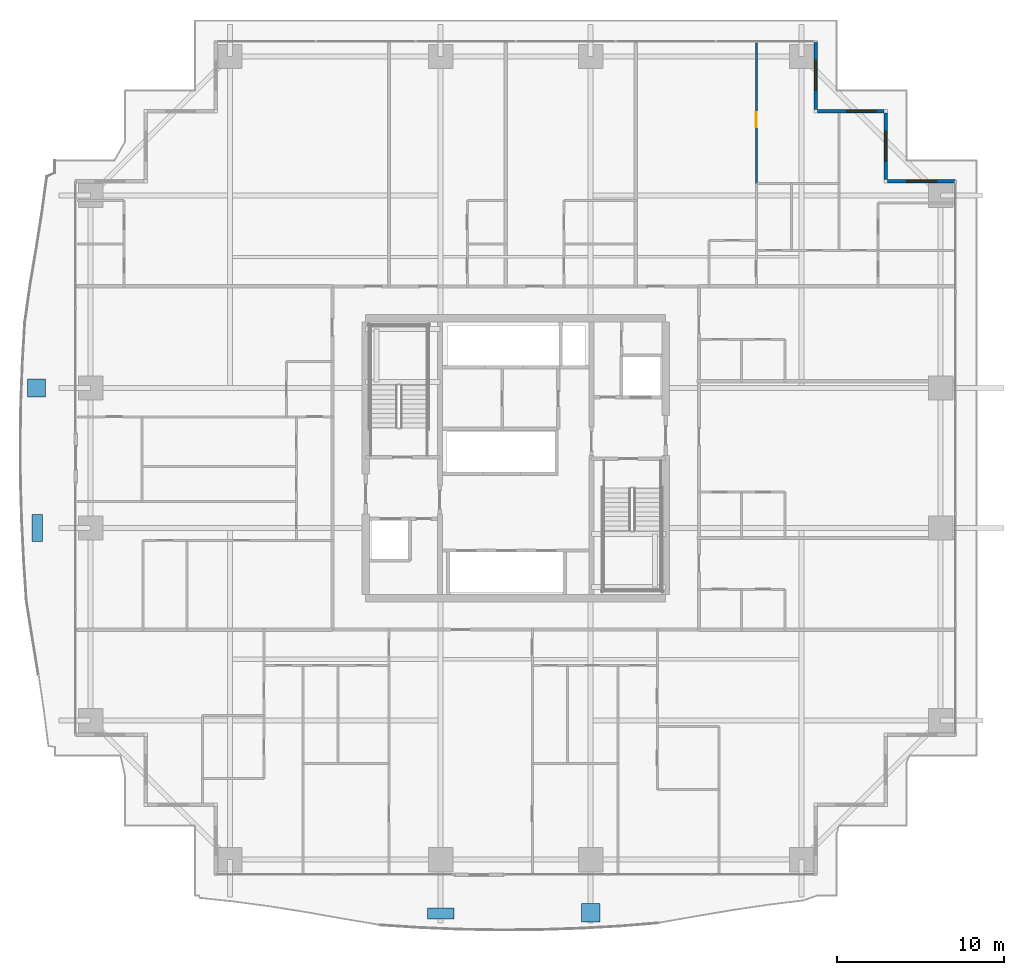
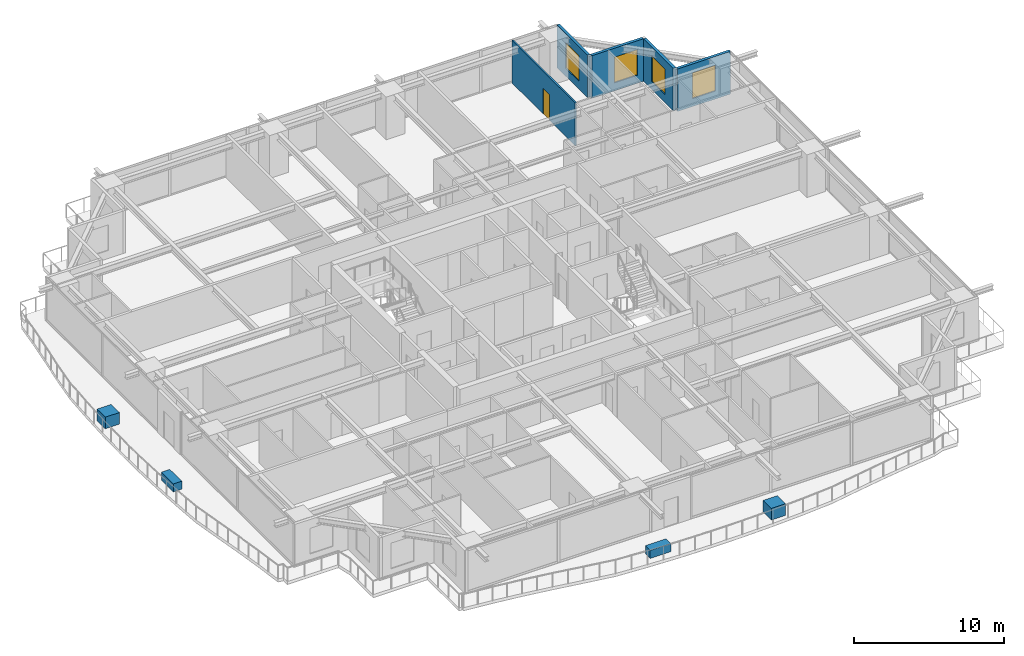
# One storey, part 32 of 40: 5 walls, 4 discrete accessories, 4 windows, 1 door, 5 openings.
"""IFC4 building model written with IfcOpenShell, lengths in metres."""

from ifc_helpers import new_model, si_unit, direction, frame, frame_2d, origin, origin_2d, place, context, subcontext, project, spatial, rectangle, extrude, source, transform, mapped, material, layer, layer_set, type_object, element, fill, save


model = new_model("IFC4")

# Units and contexts
model_context = context("Model", 3, precision=1e-05, world=origin(), true_north=direction((0.0, 1.0)))
body_context = subcontext(model_context, "Body", "Model", "MODEL_VIEW")
ifc_project = project(units=[si_unit("LENGTHUNIT", "METRE"), si_unit("AREAUNIT", "SQUARE_METRE"), si_unit("VOLUMEUNIT", "CUBIC_METRE"), si_unit("PLANEANGLEUNIT", "RADIAN"), si_unit("MASSUNIT", "GRAM", prefix="KILO")], contexts=[model_context])

# Site, building, storey
site_placement = place(None, origin())
site = spatial("IfcSite", under=ifc_project, at=site_placement, CompositionType="ELEMENT")
building_placement = place(site_placement, origin())
building = spatial("IfcBuilding", under=site, at=building_placement, Name="Serunith Strait Residences", CompositionType="ELEMENT")
storey_placement = place(building_placement, frame((0.0, 0.0, 90.449951171875)))
storey = spatial("IfcBuildingStorey", under=building, at=storey_placement, Name="L22", CompositionType="ELEMENT", Elevation=90.449951171875)

# Wall, opening, window
ifc_material_1 = material(Name="Pale-Champagne Aluminium Insulated Panel", Category="aluminium")
ifc_layer_1 = layer(ifc_material_1, 0.219970703125, Name="Pale-Champagne Aluminium Insulated Panel")
ifc_layer_set_1 = layer_set([ifc_layer_1], Name="Pale-Champagne Aluminium Insulated Panel")
wall_type_1 = type_object("IfcWallType", Name="EW-ALUM-220", PredefinedType="ELEMENTEDWALL", material=ifc_layer_set_1)
wall_1_placement = place(storey_placement, frame((58.800048828125, 41.800048828125, 0.0), z_axis=(0.0, 0.0, 1.0), x_axis=(-1.0, 0.0, 0.0)))
wall_1 = element("IfcWall", 1, at=wall_1_placement, inside=storey, type_object=wall_type_1, Name="L22 Girih Serrated Corner Wall 07", PredefinedType="ELEMENTEDWALL", context=body_context, shape_type="SweptSolid", body=[
    extrude(rectangle(XDim=4.090087890625, YDim=0.219970703125, at=frame_2d((2.044921875, 0.0))), origin(), (0.0, 0.0, 1.0), 3.47509765625),
])
opening_1_placement = place(wall_1_placement, frame((1.14501953125, 0.0, 0.64990234375)))
opening_1 = element("IfcOpeningElement", 2, at=opening_1_placement, cuts=wall_1, Name="Opening W-01", PredefinedType="OPENING", context=body_context, shape_type="SweptSolid", body=[
    extrude(rectangle(XDim=1.800048828125, YDim=2.10009765625, at=frame_2d((0.89990234375, 1.050048828125))), frame((0.0, 0.1201171875, 0.0), z_axis=(0.0, -1.0, 0.0), x_axis=(1.0, 0.0, 0.0)), (0.0, 0.0, 1.0), 0.239990234375),
])
ifc_material_2 = material(Name="Ceramic-Fritted Operable Aluminium Window Glass", Category="aluminium")
window_type = type_object("IfcWindowType", Name="WIN-C1", PartitioningType="DOUBLE_PANEL_VERTICAL", PredefinedType="WINDOW", material=ifc_material_2)
shared_shape_1 = source(origin(), body_context, "Body", "SweptSolid", [
    extrude(rectangle(XDim=1.800048828125, YDim=2.10009765625, at=frame_2d((0.89990234375, 1.050048828125))), frame((0.0, 0.030029296875, 0.0), z_axis=(0.0, -1.0, 0.0), x_axis=(1.0, 0.0, 0.0)), (0.0, 0.0, 1.0), 0.06005859375),
])
window_1_placement = place(opening_1_placement, origin())
window_1 = element("IfcWindow", 3, at=window_1_placement, inside=storey, type_object=window_type, Name="L22 Corner Operable Fritted Window 07", OverallHeight=2.10009765625, OverallWidth=1.800048828125, PartitioningType="SINGLE_PANEL", PredefinedType="WINDOW", context=body_context, shape_type="MappedRepresentation", body=[
    mapped(shared_shape_1, transform((0.0, 0.0, 0.0), scale=1.0)),
])
fill(opening_1, window_1)

wall_2_placement = place(storey_placement, frame((54.60009765625, 41.909912109375, 0.0), z_axis=(0.0, 0.0, 1.0), x_axis=(0.0, 1.0, 0.0)))
wall_2 = element("IfcWall", 4, at=wall_2_placement, inside=storey, type_object=wall_type_1, Name="L22 Girih Serrated Corner Wall 08", PredefinedType="ELEMENTEDWALL", context=body_context, shape_type="SweptSolid", body=[
    extrude(rectangle(XDim=3.97998046875, YDim=0.219970703125, at=frame_2d((1.989990234375, 0.0))), origin(), (0.0, 0.0, 1.0), 3.47509765625),
])
opening_2_placement = place(wall_2_placement, frame((1.090087890625, 0.0, 0.64990234375)))
opening_2 = element("IfcOpeningElement", 5, at=opening_2_placement, cuts=wall_2, Name="Opening W-01", PredefinedType="OPENING", context=body_context, shape_type="SweptSolid", body=[
    extrude(rectangle(XDim=1.800048828125, YDim=2.10009765625, at=frame_2d((0.89990234375, 1.050048828125))), frame((0.0, 0.1201171875, 0.0), z_axis=(0.0, -1.0, 0.0), x_axis=(1.0, 0.0, 0.0)), (0.0, 0.0, 1.0), 0.239990234375),
])
window_2_placement = place(opening_2_placement, origin())
window_2 = element("IfcWindow", 6, at=window_2_placement, inside=storey, type_object=window_type, Name="L22 Corner Operable Fritted Window 08", OverallHeight=2.10009765625, OverallWidth=1.800048828125, PartitioningType="SINGLE_PANEL", PredefinedType="WINDOW", context=body_context, shape_type="MappedRepresentation", body=[
    mapped(shared_shape_1, transform((0.0, 0.0, 0.0), scale=1.0)),
])
fill(opening_2, window_2)

wall_3_placement = place(storey_placement, frame((54.489990234375, 46.0, 0.0), z_axis=(0.0, 0.0, 1.0), x_axis=(-1.0, 0.0, 0.0)))
wall_3 = element("IfcWall", 7, at=wall_3_placement, inside=storey, type_object=wall_type_1, Name="L22 Girih Serrated Corner Wall 09", PredefinedType="ELEMENTEDWALL", context=body_context, shape_type="SweptSolid", body=[
    extrude(rectangle(XDim=3.97998046875, YDim=0.219970703125, at=frame_2d((1.989990234375, 0.0))), origin(), (0.0, 0.0, 1.0), 3.47509765625),
])
opening_3_placement = place(wall_3_placement, frame((0.43603515625, 0.0, 0.64990234375)))
opening_3 = element("IfcOpeningElement", 8, at=opening_3_placement, cuts=wall_3, Name="Opening W-01", PredefinedType="OPENING", context=body_context, shape_type="SweptSolid", body=[
    extrude(rectangle(XDim=1.800048828125, YDim=2.10009765625, at=frame_2d((0.89990234375, 1.050048828125))), frame((0.0, 0.1201171875, 0.0), z_axis=(0.0, -1.0, 0.0), x_axis=(1.0, 0.0, 0.0)), (0.0, 0.0, 1.0), 0.239990234375),
])
window_3_placement = place(opening_3_placement, origin())
window_3 = element("IfcWindow", 9, at=window_3_placement, inside=storey, type_object=window_type, Name="L22 Corner Operable Fritted Window 09", OverallHeight=2.10009765625, OverallWidth=1.800048828125, PartitioningType="SINGLE_PANEL", PredefinedType="WINDOW", context=body_context, shape_type="MappedRepresentation", body=[
    mapped(shared_shape_1, transform((0.0, 0.0, 0.0), scale=1.0)),
])
fill(opening_3, window_3)

wall_4_placement = place(storey_placement, frame((50.39990234375, 46.110107421875, 0.0), z_axis=(0.0, 0.0, 1.0), x_axis=(0.0, 1.0, 0.0)))
wall_4 = element("IfcWall", 10, at=wall_4_placement, inside=storey, type_object=wall_type_1, Name="L22 Girih Serrated Corner Wall 10", PredefinedType="ELEMENTEDWALL", context=body_context, shape_type="SweptSolid", body=[
    extrude(rectangle(XDim=4.08984375, YDim=0.219970703125, at=frame_2d((2.044921875, 0.0))), origin(), (0.0, 0.0, 1.0), 3.47509765625),
])
opening_4_placement = place(wall_4_placement, frame((1.14501953125, 0.0, 0.64990234375)))
opening_4 = element("IfcOpeningElement", 11, at=opening_4_placement, cuts=wall_4, Name="Opening W-01", PredefinedType="OPENING", context=body_context, shape_type="SweptSolid", body=[
    extrude(rectangle(XDim=1.800048828125, YDim=2.10009765625, at=frame_2d((0.89990234375, 1.050048828125))), frame((0.0, 0.1201171875, 0.0), z_axis=(0.0, -1.0, 0.0), x_axis=(1.0, 0.0, 0.0)), (0.0, 0.0, 1.0), 0.239990234375),
])
window_4_placement = place(opening_4_placement, origin())
window_4 = element("IfcWindow", 12, at=window_4_placement, inside=storey, type_object=window_type, Name="L22 Corner Operable Fritted Window 10", OverallHeight=2.10009765625, OverallWidth=1.800048828125, PartitioningType="SINGLE_PANEL", PredefinedType="WINDOW", context=body_context, shape_type="MappedRepresentation", body=[
    mapped(shared_shape_1, transform((0.0, 0.0, 0.0), scale=1.0)),
])
fill(opening_4, window_4)

# Wall, opening, door
ifc_material_3 = material(Name="Lightweight steel-stud gypsum partition", Category="steel")
ifc_layer_2 = layer(ifc_material_3, 0.1201171875, Name="Lightweight steel-stud gypsum partition")
ifc_layer_set_2 = layer_set([ifc_layer_2], Name="Lightweight steel-stud gypsum partition")
wall_type_2 = type_object("IfcWallType", Name="IW-PART-120", PredefinedType="PARTITIONING", material=ifc_layer_set_2)
wall_5_placement = place(storey_placement, frame((46.840087890625, 50.10498046875, 0.0), z_axis=(0.0, 0.0, 1.0), x_axis=(0.0, -1.0, 0.0)))
wall_5 = element("IfcWall", 13, at=wall_5_placement, inside=storey, type_object=wall_type_2, Name="L22 Partition Wall 073", PredefinedType="PARTITIONING", context=body_context, shape_type="SweptSolid", body=[
    extrude(rectangle(XDim=8.43798828125, YDim=0.1201171875, at=frame_2d((4.218994140625, 0.0))), origin(), (0.0, 0.0, 1.0), 3.489990234375),
])
opening_5_placement = place(wall_5_placement, frame((4.14599609375, 0.0, 0.0)))
opening_5 = element("IfcOpeningElement", 14, at=opening_5_placement, cuts=wall_5, Name="Opening D-RM900", PredefinedType="OPENING", context=body_context, shape_type="SweptSolid", body=[
    extrude(rectangle(XDim=0.89990234375, YDim=2.10009765625, at=frame_2d((0.449951171875, 1.050048828125))), frame((0.0, 0.070068359375, 0.0), z_axis=(0.0, -1.0, 0.0), x_axis=(1.0, 0.0, 0.0)), (0.0, 0.0, 1.0), 0.14013671875),
])
ifc_material_4 = material(Name="Engineered timber flush bedroom door", Category="wood")
door_type = type_object("IfcDoorType", Name="ID-ROOM-900", OperationType="NOTDEFINED", PredefinedType="DOOR", material=ifc_material_4)
shared_shape_2 = source(origin(), body_context, "Body", "SweptSolid", [
    extrude(rectangle(XDim=0.89990234375, YDim=2.10009765625, at=frame_2d((0.449951171875, 1.050048828125))), frame((0.0, 0.02490234375, 0.0), z_axis=(0.0, -1.0, 0.0), x_axis=(1.0, 0.0, 0.0)), (0.0, 0.0, 1.0), 0.050048828125),
])
door_placement = place(opening_5_placement, origin())
door = element("IfcDoor", 15, at=door_placement, inside=storey, type_object=door_type, Name="L22 Formal Dining Room 1 2205 Door", OperationType="SINGLE_SWING_RIGHT", OverallHeight=2.10009765625, OverallWidth=0.89990234375, PredefinedType="DOOR", context=body_context, shape_type="MappedRepresentation", body=[
    mapped(shared_shape_2, transform((0.0, 0.0, 0.0), scale=1.0)),
])
fill(opening_5, door)

# Discrete accessories
ifc_material_5 = material(Name="GFRC Root-Anchored Structural Planter")
discrete_accessory_type_1 = type_object("IfcDiscreteAccessoryType", Name="ACC-PLANTER-TREE", PredefinedType="USERDEFINED", material=ifc_material_5)
shared_shape_3 = source(origin(), body_context, "Body", "SweptSolid", [
    extrude(rectangle(XDim=1.10009765625, YDim=1.10009765625, at=origin_2d()), origin(), (0.0, 0.0, 1.0), 0.949951171875),
])
for number, where, z_axis, x_axis, name in (
    (16, (36.89990234375, -2.08740234375, -0.0498046875), (0.0, 0.0, 1.0), (1.0, 0.0, 0.0), "L22 Vertical-Forest Tree Planter 03"),
    (17, (3.646484375, 29.39990234375, -0.0498046875), (0.0, 0.0, 1.0), (0.0, -1.0, 0.0), "L22 Vertical-Forest Tree Planter 15"),
):
    element("IfcDiscreteAccessory", number, at=place(storey_placement, frame(where, z_axis=z_axis, x_axis=x_axis)), inside=storey, type_object=discrete_accessory_type_1, Name=name, ObjectType="PLANTER", PredefinedType="USERDEFINED", context=body_context, shape_type="MappedRepresentation", body=[
        mapped(shared_shape_3, transform((0.0, 0.0, 0.0), scale=1.0)),
    ])
ifc_material_6 = material(Name="GFRC Irrigated Shrub Trough Planter")
discrete_accessory_type_2 = type_object("IfcDiscreteAccessoryType", Name="ACC-PLANTER-SHRUB", PredefinedType="USERDEFINED", material=ifc_material_6)
shared_shape_4 = source(origin(), body_context, "Body", "SweptSolid", [
    extrude(rectangle(XDim=1.60009765625, YDim=0.64990234375, at=origin_2d()), origin(), (0.0, 0.0, 1.0), 0.64990234375),
])
for number, where, z_axis, x_axis, name in (
    (18, (27.89990234375, -2.13232421875, -0.0498046875), (0.0, 0.0, 1.0), (1.0, 0.0, 0.0), "L22 Vertical-Forest Shrub Planter 02"),
    (19, (3.686767578125, 21.0, -0.0498046875), (0.0, 0.0, 1.0), (0.0, -1.0, 0.0), "L22 Vertical-Forest Shrub Planter 14"),
):
    element("IfcDiscreteAccessory", number, at=place(storey_placement, frame(where, z_axis=z_axis, x_axis=x_axis)), inside=storey, type_object=discrete_accessory_type_2, Name=name, ObjectType="PLANTER", PredefinedType="USERDEFINED", context=body_context, shape_type="MappedRepresentation", body=[
        mapped(shared_shape_4, transform((0.0, 0.0, 0.0), scale=1.0)),
    ])

save(model, "model.ifc")
